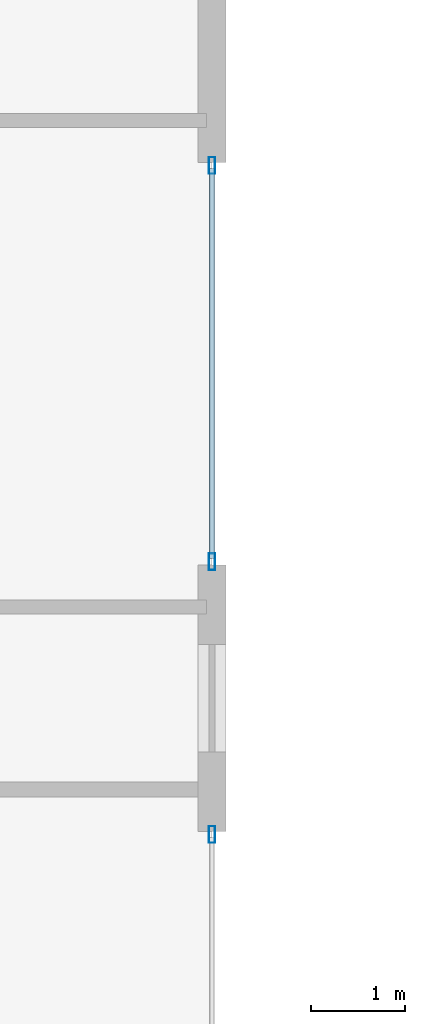
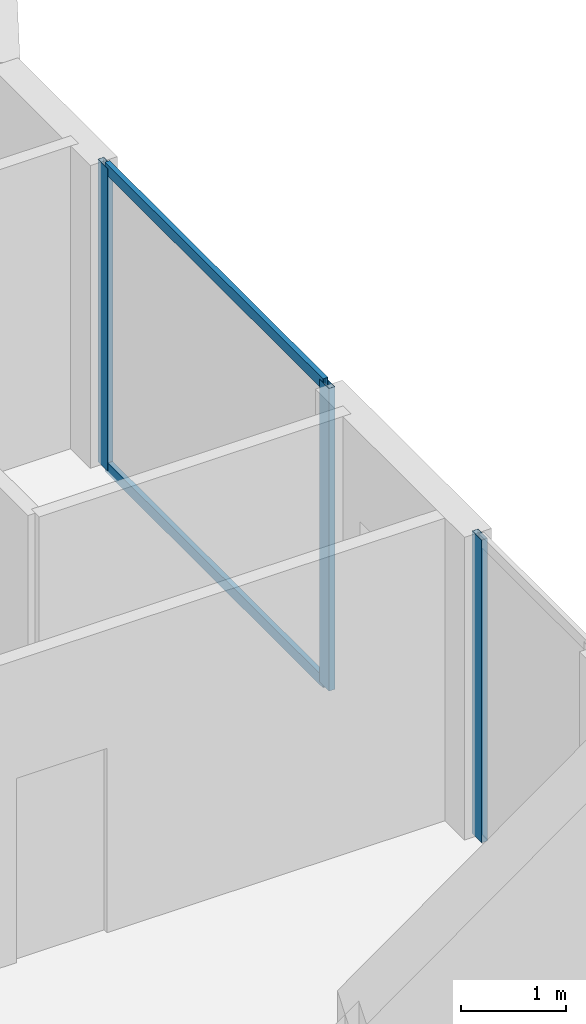
# One storey, part 13 of 33: 5 members, 2 elements without a shape of their own.
"""IFC4 building model written with IfcOpenShell, lengths in metres."""

from ifc_helpers import new_model, si_unit, direction, frame, origin, origin_2d, place, context, subcontext, project, spatial, hollow_rectangle, extrude, material, layer, layer_set, material_profile, profile_set, type_object, element, aggregate, save


model = new_model("IFC4")

# Units and contexts
model_context = context("Model", 3, precision=1e-05, world=origin(), true_north=direction((0.0, 1.0)))
body_context = subcontext(model_context, "Body", "Model", "MODEL_VIEW")
ifc_project = project(units=[si_unit("LENGTHUNIT", "METRE"), si_unit("AREAUNIT", "SQUARE_METRE"), si_unit("VOLUMEUNIT", "CUBIC_METRE"), si_unit("PLANEANGLEUNIT", "RADIAN"), si_unit("MASSUNIT", "GRAM", prefix="KILO")], contexts=[model_context])

# Site, building, storey
site_placement = place(None, origin())
site = spatial("IfcSite", under=ifc_project, at=site_placement, CompositionType="ELEMENT")
building_placement = place(site_placement, origin())
building = spatial("IfcBuilding", under=site, at=building_placement, Name="Zuhayl Quay Hotel", CompositionType="ELEMENT")
storey_placement = place(building_placement, frame((0.0, 0.0, 211.14990234375)))
storey = spatial("IfcBuildingStorey", under=building, at=storey_placement, Name="L53", CompositionType="ELEMENT", Elevation=211.14990234375)

# Curtain wall, members
ifc_material_1 = material(Name="Anodised Aluminium 6063-T6", Category="aluminium")
ifc_layer = layer(ifc_material_1, 0.175048828125, Name="Anodised Aluminium 6063-T6", Category="aluminium")
ifc_layer_set = layer_set([ifc_layer], Name="Anodised Aluminium 6063-T6")
curtain_wall_type = type_object("IfcCurtainWallType", Name="CW_SYS_Z3", PredefinedType="USERDEFINED", material=ifc_layer_set)
curtain_wall_1_placement = place(storey_placement, origin())
curtain_wall_1 = element("IfcCurtainWall", 1, at=curtain_wall_1_placement, inside=storey, type_object=curtain_wall_type, Name="L53 Curtain Wall ENV_L53_E14_CW1", ObjectType="UNITISED CURTAIN WALL", PredefinedType="USERDEFINED")
ifc_material_2 = material(Name="Black-anodised aluminium 6063-T6", Category="aluminium")
ifc_material_profile_1 = material_profile(ifc_material_2, hollow_rectangle(XDim=0.06494140625, YDim=0.179931640625, WallThickness=0.00341796875, at=origin_2d()), Name="ALU180X65")
ifc_profile_set_1 = profile_set([ifc_material_profile_1], Name="Black-anodised aluminium 6063-T6")
member_type_1 = type_object("IfcMemberType", Name="MB_CW_MUL_180", PredefinedType="MULLION", material=ifc_profile_set_1)
member_1_placement = place(storey_placement, frame((22.10009765625, 6.267578125, 0.0), z_axis=(0.0, 0.0, 1.0), x_axis=(1.0, 0.0, 0.0)))
member_1 = element("IfcMember", 2, at=member_1_placement, type_object=member_type_1, Name="CW-Z3 mullion 1", PredefinedType="MULLION", context=body_context, shape_type="SweptSolid", body=[
    extrude(hollow_rectangle(XDim=0.06494140625, YDim=0.179931640625, WallThickness=0.00341796875, at=origin_2d()), origin(), (0.0, 0.0, 1.0), 3.530029296875),
])
member_2_placement = place(storey_placement, frame((22.10009765625, 2.032470703125, 0.0), z_axis=(0.0, 0.0, 1.0), x_axis=(1.0, 0.0, 0.0)))
member_2 = element("IfcMember", 3, at=member_2_placement, type_object=member_type_1, Name="CW-Z3 mullion 2", PredefinedType="MULLION", context=body_context, shape_type="SweptSolid", body=[
    extrude(hollow_rectangle(XDim=0.06494140625, YDim=0.179931640625, WallThickness=0.00341796875, at=origin_2d()), origin(), (0.0, 0.0, 1.0), 3.530029296875),
])

# Curtain wall, member
curtain_wall_2_placement = place(storey_placement, origin())
curtain_wall_2 = element("IfcCurtainWall", 4, at=curtain_wall_2_placement, inside=storey, type_object=curtain_wall_type, Name="L53 Curtain Wall ENV_L53_E14_CW2", ObjectType="UNITISED CURTAIN WALL", PredefinedType="USERDEFINED")
member_3_placement = place(storey_placement, frame((22.10009765625, -0.882568359375, 0.0), z_axis=(0.0, 0.0, 1.0), x_axis=(1.0, 0.0, 0.0)))
member_3 = element("IfcMember", 5, at=member_3_placement, type_object=member_type_1, Name="CW-Z3 mullion 1", PredefinedType="MULLION", context=body_context, shape_type="SweptSolid", body=[
    extrude(hollow_rectangle(XDim=0.06494140625, YDim=0.179931640625, WallThickness=0.00341796875, at=origin_2d()), origin(), (0.0, 0.0, 1.0), 3.530029296875),
])
aggregate(curtain_wall_2, [member_3])

# Member
ifc_material_profile_2 = material_profile(ifc_material_2, hollow_rectangle(XDim=0.054931640625, YDim=0.1298828125, WallThickness=0.0029296875, at=origin_2d()), Name="ALU130X55")
ifc_profile_set_2 = profile_set([ifc_material_profile_2], Name="Black-anodised aluminium 6063-T6")
member_type_2 = type_object("IfcMemberType", Name="MB_CW_TRN_130", PredefinedType="USERDEFINED", material=ifc_profile_set_2)
member_4_placement = place(storey_placement, frame((22.10009765625, 6.235107421875, 0.027587890625), z_axis=(0.0, -1.0, 0.0), x_axis=(1.0, 0.0, 0.0)))
member_4 = element("IfcMember", 6, at=member_4_placement, type_object=member_type_2, Name="CW-Z3 transom 1.1", ObjectType="TRANSOM", PredefinedType="USERDEFINED", context=body_context, shape_type="SweptSolid", body=[
    extrude(hollow_rectangle(XDim=0.054931640625, YDim=0.1298828125, WallThickness=0.0029296875, at=origin_2d()), origin(), (0.0, 0.0, 1.0), 4.170166015625),
])

member_5_placement = place(storey_placement, frame((22.10009765625, 6.235107421875, 3.502685546875), z_axis=(0.0, -1.0, 0.0), x_axis=(1.0, 0.0, 0.0)))
member_5 = element("IfcMember", 7, at=member_5_placement, type_object=member_type_2, Name="CW-Z3 transom 1.2", ObjectType="TRANSOM", PredefinedType="USERDEFINED", context=body_context, shape_type="SweptSolid", body=[
    extrude(hollow_rectangle(XDim=0.054931640625, YDim=0.1298828125, WallThickness=0.0029296875, at=origin_2d()), origin(), (0.0, 0.0, 1.0), 4.170166015625),
])

aggregate(curtain_wall_1, [member_1, member_2, member_4, member_5])

save(model, "model.ifc")
